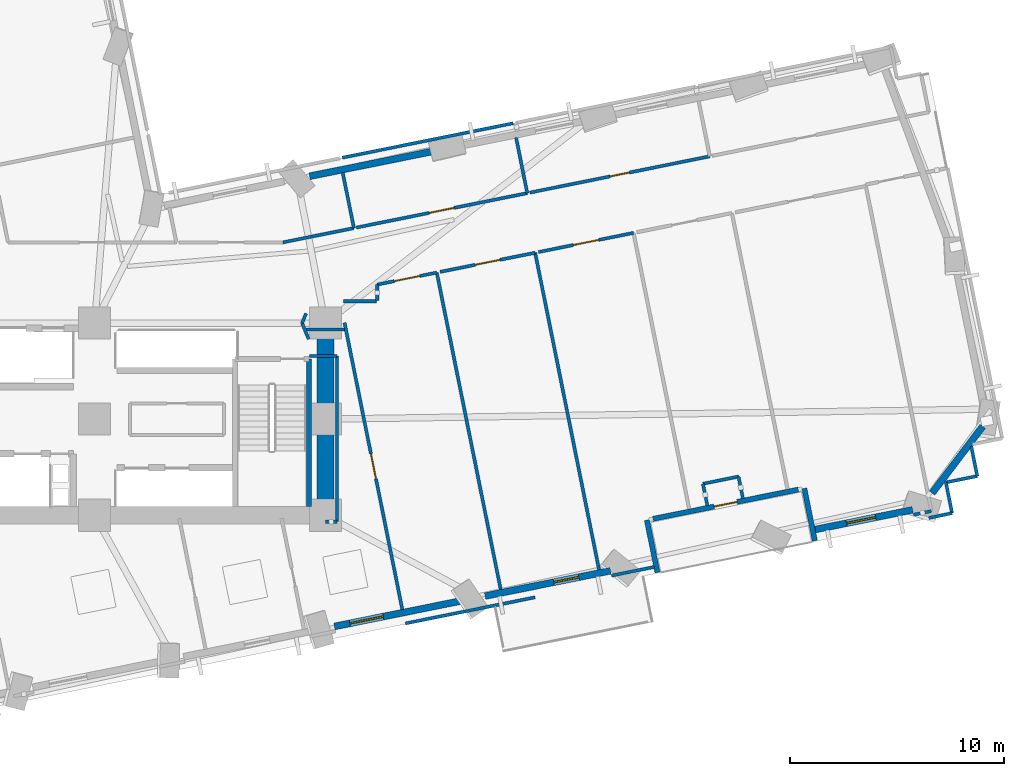
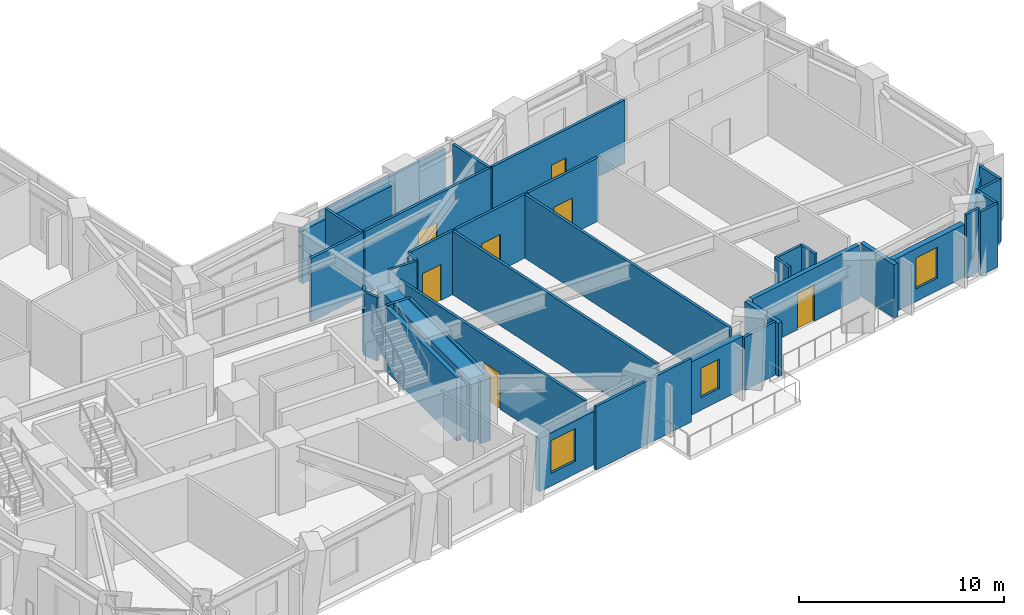
# One storey, part 9 of 16: 40 walls, 7 doors, 3 windows, 10 openings.
"""IFC4 building model written with IfcOpenShell, lengths in metres."""

from ifc_helpers import new_model, si_unit, direction, frame, frame_2d, origin, place, context, subcontext, project, spatial, rectangle, extrude, material, layer, layer_set, type_object, element, fill, save


model = new_model("IFC4")

# Units and contexts
model_context = context("Model", 3, precision=1e-05, world=origin(), true_north=direction((0.0, 1.0)))
body_context = subcontext(model_context, "Body", "Model", "MODEL_VIEW")
ifc_project = project(units=[si_unit("LENGTHUNIT", "METRE"), si_unit("AREAUNIT", "SQUARE_METRE"), si_unit("VOLUMEUNIT", "CUBIC_METRE"), si_unit("PLANEANGLEUNIT", "RADIAN"), si_unit("MASSUNIT", "GRAM", prefix="KILO")], contexts=[model_context])

# Site, building, storey
site_placement = place(None, origin())
site = spatial("IfcSite", under=ifc_project, at=site_placement, CompositionType="ELEMENT")
building_placement = place(site_placement, origin())
building = spatial("IfcBuilding", under=site, at=building_placement, Name="Gaonmaruhae Medical Tower", CompositionType="ELEMENT")
storey_placement = place(building_placement, frame((0.0, 0.0, 71.0)))
storey = spatial("IfcBuildingStorey", under=building, at=storey_placement, Name="L16", CompositionType="ELEMENT", Elevation=71.0)

# Wall
ifc_material_1 = material(Name="Concrete C60/75", Category="concrete")
ifc_layer_1 = layer(ifc_material_1, 0.800048828125)
ifc_layer_set_1 = layer_set([ifc_layer_1], Name="Concrete C60/75")
wall_type_1 = type_object("IfcWallType", Name="CW-800 Lower Core Shear Wall", PredefinedType="SHEAR", material=ifc_layer_set_1)
wall_1_placement = place(storey_placement, frame((35.60009765625, 7.800048828125, 0.0), z_axis=(0.0, 0.0, 1.0), x_axis=(0.0, 1.0, 0.0)))
element("IfcWall", 1, at=wall_1_placement, inside=storey, type_object=wall_type_1, Name="L16 Core Shear Wall CSW-E1", PredefinedType="SHEAR", context=body_context, shape_type="SweptSolid", body=[
    extrude(rectangle(XDim=9.0, YDim=0.800048828125, at=frame_2d((4.5, 0.0))), origin(), (0.0, 0.0, 1.0), 3.780029296875),
])

# Wall, opening, door
ifc_material_2 = material(Name="Precast concrete C45/55", Category="concrete")
ifc_layer_2 = layer(ifc_material_2, 0.239990234375)
ifc_layer_set_2 = layer_set([ifc_layer_2], Name="Precast concrete C45/55")
wall_type_2 = type_object("IfcWallType", Name="EW-240 Ribbon & Shelter Insulated Precast Wall", PredefinedType="SOLIDWALL", material=ifc_layer_set_2)
wall_2_placement = place(storey_placement, frame((57.760009765625, 9.003662109375, 0.0), z_axis=(0.0, 0.0, 1.0), x_axis=(-0.98027050878, -0.19766064256, 0.0)))
wall_2 = element("IfcWall", 2, at=wall_2_placement, inside=storey, type_object=wall_type_2, Name="L16 Recessed Terrace Enclosure Wall TERB", PredefinedType="SOLIDWALL", context=body_context, shape_type="SweptSolid", body=[
    extrude(rectangle(XDim=6.9599609375, YDim=0.239990234375, at=frame_2d((3.47998046875, 0.0))), origin(), (0.0, 0.0, 1.0), 3.1650390625),
])
opening_1_placement = place(wall_2_placement, frame((2.929931640625, 0.0, 0.0)))
opening_1 = element("IfcOpeningElement", 3, at=opening_1_placement, cuts=wall_2, Name="Opening TD-01", PredefinedType="OPENING", context=body_context, shape_type="SweptSolid", body=[
    extrude(rectangle(XDim=1.10009765625, YDim=2.14990234375, at=frame_2d((0.550048828125, 1.074951171875))), frame((0.0, 0.1298828125, 0.0), z_axis=(0.0, -1.0, 0.0), x_axis=(1.0, 0.0, 0.0)), (0.0, 0.0, 1.0), 0.260009765625),
])
ifc_material_3 = material(Name="Anodised aluminium and toughened safety glass", Category="aluminium")
door_type_1 = type_object("IfcDoorType", Name="TD-01 Terrace & Sky Garden Glazed Door 1100x2150", OperationType="NOTDEFINED", PredefinedType="DOOR", material=ifc_material_3)
door_1_placement = place(opening_1_placement, origin())
door_1 = element("IfcDoor", 4, at=door_1_placement, inside=storey, type_object=door_type_1, Name="L16 Outdoor Terrace Access Door SLB-L16-TER", OperationType="SINGLE_SWING_RIGHT", OverallHeight=2.14990234375, OverallWidth=1.10009765625, PredefinedType="DOOR", context=body_context, shape_type="SweptSolid", body=[
    extrude(rectangle(XDim=1.10009765625, YDim=2.14990234375, at=frame_2d((0.550048828125, 1.074951171875))), frame((0.0, 0.02490234375, 0.0), z_axis=(0.0, -1.0, 0.0), x_axis=(1.0, 0.0, 0.0)), (0.0, 0.0, 1.0), 0.050048828125),
])
fill(opening_1, door_1)

# Walls
for number, where, z_axis, x_axis, name in (
    (5, (50.66259765625, 7.57275390625, 0.0), (0.0, 0.0, 1.0), (0.197749692278, -0.980252548685, 0.0), "L16 Recessed Terrace Enclosure Wall TERL"),
    (6, (58.528564453125, 6.6083984375, 0.0), (0.0, 0.0, 1.0), (-0.197655854152, 0.980271474297, 0.0), "L16 Recessed Terrace Enclosure Wall TERR"),
):
    element("IfcWall", number, at=place(storey_placement, frame(where, z_axis=z_axis, x_axis=x_axis)), inside=storey, type_object=wall_type_2, Name=name, PredefinedType="SOLIDWALL", context=body_context, shape_type="SweptSolid", body=[
        extrude(rectangle(XDim=2.5, YDim=0.239990234375, at=frame_2d((1.25, 0.0))), origin(), (0.0, 0.0, 1.0), 3.1650390625),
    ])

# Wall, opening, window
ifc_layer_3 = layer(ifc_material_2, 0.320068359375)
ifc_layer_set_3 = layer_set([ifc_layer_3], Name="Precast concrete C45/55")
wall_type_3 = type_object("IfcWallType", Name="EW-320 Lower Precast Masonry-Frame Facade Wall", PredefinedType="SOLIDWALL", material=ifc_layer_set_3)
wall_3_placement = place(storey_placement, frame((41.89697265625, 3.775146484375, 0.0), z_axis=(0.0, 0.0, 1.0), x_axis=(-0.980270406687, -0.197661148871, 0.0)))
wall_3 = element("IfcWall", 7, at=wall_3_placement, inside=storey, type_object=wall_type_3, Name="L16 Precast Masonry-Frame Wall S04-S05", PredefinedType="SOLIDWALL", context=body_context, shape_type="SweptSolid", body=[
    extrude(rectangle(XDim=5.985595703125, YDim=0.320068359375, at=frame_2d((2.99267578125, 0.0))), origin(), (0.0, 0.0, 1.0), 3.1650390625),
])
opening_2_placement = place(wall_3_placement, frame((3.65380859375, 0.0, 0.75)))
opening_2 = element("IfcOpeningElement", 8, at=opening_2_placement, cuts=wall_3, Name="Opening WN-01", PredefinedType="OPENING", context=body_context, shape_type="SweptSolid", body=[
    extrude(rectangle(XDim=1.60009765625, YDim=1.949951171875, at=frame_2d((0.800048828125, 0.97509765625))), frame((0.0, 0.169921875, 0.0), z_axis=(0.0, -1.0, 0.0), x_axis=(1.0, 0.0, 0.0)), (0.0, 0.0, 1.0), 0.340087890625),
])
ifc_material_4 = material(Name="Anodised aluminium and Low-E double glazing", Category="aluminium")
window_type_1 = type_object("IfcWindowType", Name="WN-01 Ward Punched Acoustic Window 1600x1950", PartitioningType="SINGLE_PANEL", PredefinedType="WINDOW", material=ifc_material_4)
window_1_placement = place(opening_2_placement, origin())
window_1 = element("IfcWindow", 9, at=window_1_placement, inside=storey, type_object=window_type_1, Name="L16 Modular Facade Window S04", OverallHeight=1.949951171875, OverallWidth=1.60009765625, PartitioningType="SINGLE_PANEL", PredefinedType="WINDOW", context=body_context, shape_type="SweptSolid", body=[
    extrude(rectangle(XDim=1.60009765625, YDim=1.949951171875, at=frame_2d((0.800048828125, 0.97509765625))), frame((0.0, 0.030029296875, 0.0), z_axis=(0.0, -1.0, 0.0), x_axis=(1.0, 0.0, 0.0)), (0.0, 0.0, 1.0), 0.06005859375),
])
fill(opening_2, window_1)

wall_4_placement = place(storey_placement, frame((48.9609375, 5.199462890625, 0.0), z_axis=(0.0, 0.0, 1.0), x_axis=(-0.980270794901, -0.197659223574, 0.0)))
wall_4 = element("IfcWall", 10, at=wall_4_placement, inside=storey, type_object=wall_type_3, Name="L16 Precast Masonry-Frame Wall S05-S06", PredefinedType="SOLIDWALL", context=body_context, shape_type="SweptSolid", body=[
    extrude(rectangle(XDim=5.992919921875, YDim=0.320068359375, at=frame_2d((2.99658203125, 0.0))), origin(), (0.0, 0.0, 1.0), 3.1650390625),
])
opening_3_placement = place(wall_4_placement, frame((1.51611328125, 0.0, 0.75)))
opening_3 = element("IfcOpeningElement", 11, at=opening_3_placement, cuts=wall_4, Name="Opening WN-05", PredefinedType="OPENING", context=body_context, shape_type="SweptSolid", body=[
    extrude(rectangle(XDim=1.199951171875, YDim=1.75, at=frame_2d((0.60009765625, 0.875))), frame((0.0, 0.169921875, 0.0), z_axis=(0.0, -1.0, 0.0), x_axis=(1.0, 0.0, 0.0)), (0.0, 0.0, 1.0), 0.340087890625),
])
window_type_2 = type_object("IfcWindowType", Name="WN-05 Support & Staff Punched Window 1200x1750", PartitioningType="SINGLE_PANEL", PredefinedType="WINDOW", material=ifc_material_4)
window_2_placement = place(opening_3_placement, origin())
window_2 = element("IfcWindow", 12, at=window_2_placement, inside=storey, type_object=window_type_2, Name="L16 Modular Facade Window S05", OverallHeight=1.75, OverallWidth=1.199951171875, PartitioningType="SINGLE_PANEL", PredefinedType="WINDOW", context=body_context, shape_type="SweptSolid", body=[
    extrude(rectangle(XDim=1.199951171875, YDim=1.75, at=frame_2d((0.60009765625, 0.875))), frame((0.0, 0.030029296875, 0.0), z_axis=(0.0, -1.0, 0.0), x_axis=(1.0, 0.0, 0.0)), (0.0, 0.0, 1.0), 0.06005859375),
])
fill(opening_3, window_2)

wall_5_placement = place(storey_placement, frame((63.107421875, 8.052001953125, 0.0), z_axis=(0.0, 0.0, 1.0), x_axis=(-0.980269343, -0.197666423994, 0.0)))
wall_5 = element("IfcWall", 13, at=wall_5_placement, inside=storey, type_object=wall_type_3, Name="L16 Precast Masonry-Frame Wall S07-S08", PredefinedType="SOLIDWALL", context=body_context, shape_type="SweptSolid", body=[
    extrude(rectangle(XDim=4.75390625, YDim=0.320068359375, at=frame_2d((2.376953125, 0.0))), origin(), (0.0, 0.0, 1.0), 3.14501953125),
])
opening_4_placement = place(wall_5_placement, frame((1.760986328125, 0.0, 0.75)))
opening_4 = element("IfcOpeningElement", 14, at=opening_4_placement, cuts=wall_5, Name="Opening WN-03", PredefinedType="OPENING", context=body_context, shape_type="SweptSolid", body=[
    extrude(rectangle(XDim=1.39990234375, YDim=1.85009765625, at=frame_2d((0.699951171875, 0.925048828125))), frame((0.0, 0.169921875, 0.0), z_axis=(0.0, -1.0, 0.0), x_axis=(1.0, 0.0, 0.0)), (0.0, 0.0, 1.0), 0.340087890625),
])
window_type_3 = type_object("IfcWindowType", Name="WN-03 Isolation Ward Punched Window 1400x1850", PartitioningType="SINGLE_PANEL", PredefinedType="WINDOW", material=ifc_material_4)
window_3_placement = place(opening_4_placement, origin())
window_3 = element("IfcWindow", 15, at=window_3_placement, inside=storey, type_object=window_type_3, Name="L16 Modular Facade Window S07", OverallHeight=1.85009765625, OverallWidth=1.39990234375, PartitioningType="SINGLE_PANEL", PredefinedType="WINDOW", context=body_context, shape_type="SweptSolid", body=[
    extrude(rectangle(XDim=1.39990234375, YDim=1.85009765625, at=frame_2d((0.699951171875, 0.925048828125))), frame((0.0, 0.030029296875, 0.0), z_axis=(0.0, -1.0, 0.0), x_axis=(1.0, 0.0, 0.0)), (0.0, 0.0, 1.0), 0.06005859375),
])
fill(opening_4, window_3)

# Walls
wall_6_placement = place(storey_placement, frame((66.392578125, 11.965576171875, 0.0), z_axis=(0.0, 0.0, 1.0), x_axis=(-0.603951033344, -0.797021423378, 0.0)))
element("IfcWall", 16, at=wall_6_placement, inside=storey, type_object=wall_type_3, Name="L16 Precast Masonry-Frame Wall S08-E01", PredefinedType="SOLIDWALL", context=body_context, shape_type="SweptSolid", body=[
    extrude(rectangle(XDim=3.927490234375, YDim=0.320068359375, at=frame_2d((1.9638671875, 0.0))), origin(), (0.0, 0.0, 1.0), 3.1650390625),
])
wall_7_placement = place(storey_placement, frame((34.86572265625, 23.677978515625, 0.0), z_axis=(0.0, 0.0, 1.0), x_axis=(0.98027206463, 0.19765292638, 0.0)))
element("IfcWall", 17, at=wall_7_placement, inside=storey, type_object=wall_type_3, Name="L16 Precast Masonry-Frame Wall EN03-EN04", PredefinedType="SOLIDWALL", context=body_context, shape_type="SweptSolid", body=[
    extrude(rectangle(XDim=5.987060546875, YDim=0.320068359375, at=frame_2d((2.99365234375, 0.0))), origin(), (0.0, 0.0, 1.0), 3.1650390625),
])
ifc_material_5 = material(Name="Gypsum board partition", Category="gypsum")
ifc_layer_4 = layer(ifc_material_5, 0.14990234375)
ifc_layer_set_4 = layer_set([ifc_layer_4], Name="Gypsum board partition")
wall_type_4 = type_object("IfcWallType", Name="PW-150 Rated Clinical Corridor Partition", PredefinedType="PARTITIONING", material=ifc_layer_set_4)
wall_8_placement = place(storey_placement, frame((36.14990234375, 15.260009765625, 0.0), z_axis=(0.0, 0.0, 1.0), x_axis=(-1.0, 0.0, 0.0)))
element("IfcWall", 18, at=wall_8_placement, inside=storey, type_object=wall_type_4, Name="L16 Interior Partition L16-TRM06-12", PredefinedType="PARTITIONING", context=body_context, shape_type="SweptSolid", body=[
    extrude(rectangle(XDim=1.2998046875, YDim=0.14990234375, at=frame_2d((0.64990234375, 0.0))), origin(), (0.0, 0.0, 1.0), 3.780029296875),
])
wall_9_placement = place(storey_placement, frame((34.822021484375, 16.050048828125, 0.0), z_axis=(0.0, 0.0, 1.0), x_axis=(-0.382050639738, 0.924141389981, 0.0)))
element("IfcWall", 19, at=wall_9_placement, inside=storey, type_object=wall_type_4, Name="L16 Interior Partition L16-TRM06-13", PredefinedType="PARTITIONING", context=body_context, shape_type="SweptSolid", body=[
    extrude(rectangle(XDim=0.8115234375, YDim=0.14990234375, at=frame_2d((0.40576171875, 0.0))), origin(), (0.0, 0.0, 1.0), 3.780029296875),
])
wall_10_placement = place(storey_placement, frame((34.511962890625, 16.800048828125, 0.0), z_axis=(0.0, 0.0, 1.0), x_axis=(0.382673670509, 0.923883575944, 0.0)))
element("IfcWall", 20, at=wall_10_placement, inside=storey, type_object=wall_type_4, Name="L16 Interior Partition L16-TRM06-14", PredefinedType="PARTITIONING", context=body_context, shape_type="SweptSolid", body=[
    extrude(rectangle(XDim=0.4912109375, YDim=0.14990234375, at=frame_2d((0.24560546875, 0.0))), origin(), (0.0, 0.0, 1.0), 3.780029296875),
])
wall_11_placement = place(storey_placement, frame((34.699951171875, 16.5, 0.0), z_axis=(0.0, 0.0, 1.0), x_axis=(1.0, 0.0, 0.0)))
element("IfcWall", 21, at=wall_11_placement, inside=storey, type_object=wall_type_4, Name="L16 Interior Partition L16-TRM06-15", PredefinedType="PARTITIONING", context=body_context, shape_type="SweptSolid", body=[
    extrude(rectangle(XDim=1.800048828125, YDim=0.14990234375, at=frame_2d((0.89990234375, 0.0))), origin(), (0.0, 0.0, 1.0), 2.864990234375),
])

# Wall, opening, door
wall_12_placement = place(storey_placement, frame((36.5, 16.818115234375, 0.0), z_axis=(0.0, 0.0, 1.0), x_axis=(0.197625281774, -0.980277638225, 0.0)))
wall_12 = element("IfcWall", 22, at=wall_12_placement, inside=storey, type_object=wall_type_4, Name="L16 Interior Partition L16-TRM06-16", PredefinedType="PARTITIONING", context=body_context, shape_type="SweptSolid", body=[
    extrude(rectangle(XDim=13.717529296875, YDim=0.14990234375, at=frame_2d((6.85888671875, 0.0))), origin(), (0.0, 0.0, 1.0), 3.780029296875),
])
opening_5_placement = place(wall_12_placement, frame((6.2587890625, 0.0, 0.0)))
opening_5 = element("IfcOpeningElement", 23, at=opening_5_placement, cuts=wall_12, Name="Opening CD-02", PredefinedType="OPENING", context=body_context, shape_type="SweptSolid", body=[
    extrude(rectangle(XDim=1.199951171875, YDim=2.14990234375, at=frame_2d((0.60009765625, 1.074951171875))), frame((0.0, 0.0849609375, 0.0), z_axis=(0.0, -1.0, 0.0), x_axis=(1.0, 0.0, 0.0)), (0.0, 0.0, 1.0), 0.169921875),
])
ifc_material_6 = material(Name="Antimicrobial laminate timber fire door", Category="wood")
door_type_2 = type_object("IfcDoorType", Name="CD-02 Clinical Treatment & Procedure Door 1200x2150", OperationType="NOTDEFINED", PredefinedType="DOOR", material=ifc_material_6)
door_2_placement = place(opening_5_placement, origin())
door_2 = element("IfcDoor", 24, at=door_2_placement, inside=storey, type_object=door_type_2, Name="L16 Clinical Procedure Examination Room Sliding Door", OperationType="SLIDING_TO_LEFT", OverallHeight=2.14990234375, OverallWidth=1.199951171875, PredefinedType="DOOR", context=body_context, shape_type="SweptSolid", body=[
    extrude(rectangle(XDim=1.199951171875, YDim=2.14990234375, at=frame_2d((0.60009765625, 1.074951171875))), frame((0.0, 0.02490234375, 0.0), z_axis=(0.0, -1.0, 0.0), x_axis=(1.0, 0.0, 0.0)), (0.0, 0.0, 1.0), 0.050048828125),
])
fill(opening_5, door_2)

# Walls
wall_13_placement = place(storey_placement, frame((35.60009765625, 7.5, 0.0), z_axis=(0.0, 0.0, 1.0), x_axis=(1.0, 0.0, 0.0)))
element("IfcWall", 25, at=wall_13_placement, inside=storey, type_object=wall_type_4, Name="L16 Interior Partition L16-TRM06-18", PredefinedType="PARTITIONING", context=body_context, shape_type="SweptSolid", body=[
    extrude(rectangle(XDim=0.5498046875, YDim=0.14990234375, at=frame_2d((0.27490234375, 0.0))), origin(), (0.0, 0.0, 1.0), 3.780029296875),
])
wall_14_placement = place(storey_placement, frame((36.14990234375, 7.5, 0.0), z_axis=(0.0, 0.0, 1.0), x_axis=(0.0, 1.0, 0.0)))
element("IfcWall", 26, at=wall_14_placement, inside=storey, type_object=wall_type_4, Name="L16 Interior Partition L16-TRM06-19", PredefinedType="PARTITIONING", context=body_context, shape_type="SweptSolid", body=[
    extrude(rectangle(XDim=7.760009765625, YDim=0.14990234375, at=frame_2d((3.8798828125, 0.0))), origin(), (0.0, 0.0, 1.0), 3.780029296875),
])
wall_15_placement = place(storey_placement, frame((36.4609375, 17.820068359375, 0.0), z_axis=(0.0, 0.0, 1.0), x_axis=(0.999999801036, 0.000630815203, 0.0)))
element("IfcWall", 27, at=wall_15_placement, inside=storey, type_object=wall_type_4, Name="L16 Interior Partition L16-SUP07-21", PredefinedType="PARTITIONING", context=body_context, shape_type="SweptSolid", body=[
    extrude(rectangle(XDim=1.548095703125, YDim=0.14990234375, at=frame_2d((0.77392578125, 0.0))), origin(), (0.0, 0.0, 1.0), 3.780029296875),
])
wall_16_placement = place(storey_placement, frame((38.030029296875, 17.85009765625, 0.0), z_axis=(0.0, 0.0, 1.0), x_axis=(0.0, 1.0, 0.0)))
element("IfcWall", 28, at=wall_16_placement, inside=storey, type_object=wall_type_4, Name="L16 Interior Partition L16-SUP07-22", PredefinedType="PARTITIONING", context=body_context, shape_type="SweptSolid", body=[
    extrude(rectangle(XDim=0.7529296875, YDim=0.14990234375, at=frame_2d((0.37646484375, 0.0))), origin(), (0.0, 0.0, 1.0), 3.780029296875),
])

# Wall, opening, door
wall_17_placement = place(storey_placement, frame((38.030029296875, 18.60302734375, 0.0), z_axis=(0.0, 0.0, 1.0), x_axis=(0.980256145054, 0.197731864109, 0.0)))
wall_17 = element("IfcWall", 29, at=wall_17_placement, inside=storey, type_object=wall_type_4, Name="L16 Interior Partition L16-SUP07-23", PredefinedType="PARTITIONING", context=body_context, shape_type="SweptSolid", body=[
    extrude(rectangle(XDim=2.84716796875, YDim=0.14990234375, at=frame_2d((1.423583984375, 0.0))), origin(), (0.0, 0.0, 1.0), 3.780029296875),
])
opening_6_placement = place(wall_17_placement, frame((0.823486328125, 0.0, 0.0)))
opening_6 = element("IfcOpeningElement", 30, at=opening_6_placement, cuts=wall_17, Name="Opening CD-02", PredefinedType="OPENING", context=body_context, shape_type="SweptSolid", body=[
    extrude(rectangle(XDim=1.199951171875, YDim=2.14990234375, at=frame_2d((0.60009765625, 1.074951171875))), frame((0.0, 0.0849609375, 0.0), z_axis=(0.0, -1.0, 0.0), x_axis=(1.0, 0.0, 0.0)), (0.0, 0.0, 1.0), 0.169921875),
])
door_3_placement = place(opening_6_placement, origin())
door_3 = element("IfcDoor", 31, at=door_3_placement, inside=storey, type_object=door_type_2, Name="L16 Clinical Biomedical Charting Office Door", OperationType="SINGLE_SWING_RIGHT", OverallHeight=2.14990234375, OverallWidth=1.199951171875, PredefinedType="DOOR", context=body_context, shape_type="SweptSolid", body=[
    extrude(rectangle(XDim=1.199951171875, YDim=2.14990234375, at=frame_2d((0.60009765625, 1.074951171875))), frame((0.0, 0.02490234375, 0.0), z_axis=(0.0, -1.0, 0.0), x_axis=(1.0, 0.0, 0.0)), (0.0, 0.0, 1.0), 0.050048828125),
])
fill(opening_6, door_3)

# Wall
wall_18_placement = place(storey_placement, frame((40.821044921875, 19.166015625, 0.0), z_axis=(0.0, 0.0, 1.0), x_axis=(0.197691694235, -0.980264247043, 0.0)))
element("IfcWall", 32, at=wall_18_placement, inside=storey, type_object=wall_type_4, Name="L16 Interior Partition L16-SUP07-24", PredefinedType="PARTITIONING", context=body_context, shape_type="SweptSolid", body=[
    extrude(rectangle(XDim=15.165283203125, YDim=0.14990234375, at=frame_2d((7.58251953125, 0.0))), origin(), (0.0, 0.0, 1.0), 3.780029296875),
])

# Wall, opening, door
wall_19_placement = place(storey_placement, frame((40.97802734375, 19.197998046875, 0.0), z_axis=(0.0, 0.0, 1.0), x_axis=(0.980283759532, 0.197594915923, 0.0)))
wall_19 = element("IfcWall", 33, at=wall_19_placement, inside=storey, type_object=wall_type_4, Name="L16 Interior Partition L16-SUP08-26", PredefinedType="PARTITIONING", context=body_context, shape_type="SweptSolid", body=[
    extrude(rectangle(XDim=4.53955078125, YDim=0.14990234375, at=frame_2d((2.269775390625, 0.0))), origin(), (0.0, 0.0, 1.0), 3.780029296875),
])
opening_7_placement = place(wall_19_placement, frame((1.669921875, 0.0, 0.0)))
opening_7 = element("IfcOpeningElement", 34, at=opening_7_placement, cuts=wall_19, Name="Opening CD-02", PredefinedType="OPENING", context=body_context, shape_type="SweptSolid", body=[
    extrude(rectangle(XDim=1.199951171875, YDim=2.14990234375, at=frame_2d((0.60009765625, 1.074951171875))), frame((0.0, 0.0849609375, 0.0), z_axis=(0.0, -1.0, 0.0), x_axis=(1.0, 0.0, 0.0)), (0.0, 0.0, 1.0), 0.169921875),
])
door_4_placement = place(opening_7_placement, origin())
door_4 = element("IfcDoor", 35, at=door_4_placement, inside=storey, type_object=door_type_2, Name="L16 Clinical Biomedical Charting Office Door", OperationType="SINGLE_SWING_LEFT", OverallHeight=2.14990234375, OverallWidth=1.199951171875, PredefinedType="DOOR", context=body_context, shape_type="SweptSolid", body=[
    extrude(rectangle(XDim=1.199951171875, YDim=2.14990234375, at=frame_2d((0.60009765625, 1.074951171875))), frame((0.0, 0.02490234375, 0.0), z_axis=(0.0, -1.0, 0.0), x_axis=(1.0, 0.0, 0.0)), (0.0, 0.0, 1.0), 0.050048828125),
])
fill(opening_7, door_4)

# Walls
wall_20_placement = place(storey_placement, frame((45.427978515625, 20.094970703125, 0.0), z_axis=(0.0, 0.0, 1.0), x_axis=(0.197691694235, -0.980264247043, 0.0)))
element("IfcWall", 36, at=wall_20_placement, inside=storey, type_object=wall_type_4, Name="L16 Interior Partition L16-SUP08-27", PredefinedType="PARTITIONING", context=body_context, shape_type="SweptSolid", body=[
    extrude(rectangle(XDim=15.165283203125, YDim=0.14990234375, at=frame_2d((7.58251953125, 0.0))), origin(), (0.0, 0.0, 1.0), 3.780029296875),
])
wall_21_placement = place(storey_placement, frame((51.008056640625, 5.3779296875, 0.0), z_axis=(0.0, 0.0, 1.0), x_axis=(-0.98025750707, -0.197725111792, 0.0)))
element("IfcWall", 37, at=wall_21_placement, inside=storey, type_object=wall_type_4, Name="L16 Interior Partition L16-SUP09-28", PredefinedType="PARTITIONING", context=body_context, shape_type="SweptSolid", body=[
    extrude(rectangle(XDim=2.042236328125, YDim=0.14990234375, at=frame_2d((1.02099609375, 0.0))), origin(), (0.0, 0.0, 1.0), 3.1650390625),
])

# Wall, opening, door
wall_22_placement = place(storey_placement, frame((45.5849609375, 20.126953125, 0.0), z_axis=(0.0, 0.0, 1.0), x_axis=(0.980292156273, 0.197553254465, 0.0)))
wall_22 = element("IfcWall", 38, at=wall_22_placement, inside=storey, type_object=wall_type_4, Name="L16 Interior Partition L16-SUP09-29", PredefinedType="PARTITIONING", context=body_context, shape_type="SweptSolid", body=[
    extrude(rectangle(XDim=4.54052734375, YDim=0.14990234375, at=frame_2d((2.270263671875, 0.0))), origin(), (0.0, 0.0, 1.0), 3.780029296875),
])
opening_8_placement = place(wall_22_placement, frame((1.670166015625, 0.0, 0.0)))
opening_8 = element("IfcOpeningElement", 39, at=opening_8_placement, cuts=wall_22, Name="Opening CD-02", PredefinedType="OPENING", context=body_context, shape_type="SweptSolid", body=[
    extrude(rectangle(XDim=1.199951171875, YDim=2.14990234375, at=frame_2d((0.60009765625, 1.074951171875))), frame((0.0, 0.0849609375, 0.0), z_axis=(0.0, -1.0, 0.0), x_axis=(1.0, 0.0, 0.0)), (0.0, 0.0, 1.0), 0.169921875),
])
door_5_placement = place(opening_8_placement, origin())
door_5 = element("IfcDoor", 40, at=door_5_placement, inside=storey, type_object=door_type_2, Name="L16 Clinical Biomedical Charting Office Door", OperationType="SINGLE_SWING_RIGHT", OverallHeight=2.14990234375, OverallWidth=1.199951171875, PredefinedType="DOOR", context=body_context, shape_type="SweptSolid", body=[
    extrude(rectangle(XDim=1.199951171875, YDim=2.14990234375, at=frame_2d((0.60009765625, 1.074951171875))), frame((0.0, 0.02490234375, 0.0), z_axis=(0.0, -1.0, 0.0), x_axis=(1.0, 0.0, 0.0)), (0.0, 0.0, 1.0), 0.050048828125),
])
fill(opening_8, door_5)

# Walls
wall_23_placement = place(storey_placement, frame((55.1630859375, 8.576904296875, 0.0), z_axis=(0.0, 0.0, 1.0), x_axis=(-0.198073697706, 0.980187130234, 0.0)))
element("IfcWall", 41, at=wall_23_placement, inside=storey, type_object=wall_type_4, Name="L16 Interior Partition L16-SUP10-32", PredefinedType="PARTITIONING", context=body_context, shape_type="SweptSolid", body=[
    extrude(rectangle(XDim=1.05517578125, YDim=0.14990234375, at=frame_2d((0.527587890625, 0.0))), origin(), (0.0, 0.0, 1.0), 3.780029296875),
])
wall_24_placement = place(storey_placement, frame((54.9541015625, 9.611083984375, 0.0), z_axis=(0.0, 0.0, 1.0), x_axis=(-0.980242211552, -0.197800926921, 0.0)))
element("IfcWall", 42, at=wall_24_placement, inside=storey, type_object=wall_type_4, Name="L16 Interior Partition L16-SUP10-33", PredefinedType="PARTITIONING", context=body_context, shape_type="SweptSolid", body=[
    extrude(rectangle(XDim=1.69970703125, YDim=0.14990234375, at=frame_2d((0.849853515625, 0.0))), origin(), (0.0, 0.0, 1.0), 3.780029296875),
])
wall_25_placement = place(storey_placement, frame((53.2880859375, 9.27490234375, 0.0), z_axis=(0.0, 0.0, 1.0), x_axis=(0.198118632768, -0.9801780488, 0.0)))
element("IfcWall", 43, at=wall_25_placement, inside=storey, type_object=wall_type_4, Name="L16 Interior Partition L16-SUP10-34", PredefinedType="PARTITIONING", context=body_context, shape_type="SweptSolid", body=[
    extrude(rectangle(XDim=1.054931640625, YDim=0.14990234375, at=frame_2d((0.52734375, 0.0))), origin(), (0.0, 0.0, 1.0), 3.780029296875),
])
wall_26_placement = place(storey_placement, frame((63.986083984375, 7.9951171875, 0.0), z_axis=(0.0, 0.0, 1.0), x_axis=(-0.980214350645, -0.197938947126, 0.0)))
element("IfcWall", 44, at=wall_26_placement, inside=storey, type_object=wall_type_4, Name="L16 Interior Partition L16-SUP11-38", PredefinedType="PARTITIONING", context=body_context, shape_type="SweptSolid", body=[
    extrude(rectangle(XDim=0.849853515625, YDim=0.14990234375, at=frame_2d((0.4248046875, 0.0))), origin(), (0.0, 0.0, 1.0), 3.780029296875),
])
wall_27_placement = place(storey_placement, frame((36.4150390625, 23.85302734375, 0.0), z_axis=(0.0, 0.0, 1.0), x_axis=(0.197671802264, -0.980268258483, 0.0)))
element("IfcWall", 45, at=wall_27_placement, inside=storey, type_object=wall_type_4, Name="L16 Interior Partition L16-IE02-69", PredefinedType="PARTITIONING", context=body_context, shape_type="SweptSolid", body=[
    extrude(rectangle(XDim=2.655517578125, YDim=0.14990234375, at=frame_2d((1.32763671875, 0.0))), origin(), (0.0, 0.0, 1.0), 3.780029296875),
])
wall_28_placement = place(storey_placement, frame((36.93994140625, 21.25, 0.0), z_axis=(0.0, 0.0, 1.0), x_axis=(-0.980288826058, -0.197569778825, 0.0)))
element("IfcWall", 46, at=wall_28_placement, inside=storey, type_object=wall_type_4, Name="L16 Interior Partition L16-IE02-70", PredefinedType="PARTITIONING", context=body_context, shape_type="SweptSolid", body=[
    extrude(rectangle(XDim=3.390869140625, YDim=0.14990234375, at=frame_2d((1.6953125, 0.0))), origin(), (0.0, 0.0, 1.0), 3.780029296875),
])

# Wall, opening, door
wall_29_placement = place(storey_placement, frame((45.06005859375, 22.886962890625, 0.0), z_axis=(0.0, 0.0, 1.0), x_axis=(-0.980287447343, -0.197576619523, 0.0)))
wall_29 = element("IfcWall", 47, at=wall_29_placement, inside=storey, type_object=wall_type_4, Name="L16 Interior Partition L16-IE03-72", PredefinedType="PARTITIONING", context=body_context, shape_type="SweptSolid", body=[
    extrude(rectangle(XDim=8.1640625, YDim=0.14990234375, at=frame_2d((4.08203125, 0.0))), origin(), (0.0, 0.0, 1.0), 3.780029296875),
])
opening_9_placement = place(wall_29_placement, frame((3.48193359375, 0.0, 0.0)))
opening_9 = element("IfcOpeningElement", 48, at=opening_9_placement, cuts=wall_29, Name="Opening CD-02", PredefinedType="OPENING", context=body_context, shape_type="SweptSolid", body=[
    extrude(rectangle(XDim=1.199951171875, YDim=2.14990234375, at=frame_2d((0.60009765625, 1.074951171875))), frame((0.0, 0.0849609375, 0.0), z_axis=(0.0, -1.0, 0.0), x_axis=(1.0, 0.0, 0.0)), (0.0, 0.0, 1.0), 0.169921875),
])
door_6_placement = place(opening_9_placement, origin())
door_6 = element("IfcDoor", 49, at=door_6_placement, inside=storey, type_object=door_type_2, Name="L16 Clean Medication Preparation Room Door", OperationType="SINGLE_SWING_LEFT", OverallHeight=2.14990234375, OverallWidth=1.199951171875, PredefinedType="DOOR", context=body_context, shape_type="SweptSolid", body=[
    extrude(rectangle(XDim=1.199951171875, YDim=2.14990234375, at=frame_2d((0.60009765625, 1.074951171875))), frame((0.0, 0.02490234375, 0.0), z_axis=(0.0, -1.0, 0.0), x_axis=(1.0, 0.0, 0.0)), (0.0, 0.0, 1.0), 0.050048828125),
])
fill(opening_9, door_6)

# Walls
wall_30_placement = place(storey_placement, frame((36.39697265625, 24.548095703125, 0.0), z_axis=(0.0, 0.0, 1.0), x_axis=(0.980263104859, 0.197697357725, 0.0)))
element("IfcWall", 50, at=wall_30_placement, inside=storey, type_object=wall_type_4, Name="L16 Interior Partition L16-IE03-73", PredefinedType="PARTITIONING", context=body_context, shape_type="SweptSolid", body=[
    extrude(rectangle(XDim=8.1640625, YDim=0.14990234375, at=frame_2d((4.08203125, 0.0))), origin(), (0.0, 0.0, 1.0), 3.1650390625),
])
wall_31_placement = place(storey_placement, frame((44.534912109375, 25.489990234375, 0.0), z_axis=(0.0, 0.0, 1.0), x_axis=(0.197760147737, -0.980250439412, 0.0)))
element("IfcWall", 51, at=wall_31_placement, inside=storey, type_object=wall_type_4, Name="L16 Interior Partition L16-IE03-74", PredefinedType="PARTITIONING", context=body_context, shape_type="SweptSolid", body=[
    extrude(rectangle(XDim=2.655517578125, YDim=0.14990234375, at=frame_2d((1.32763671875, 0.0))), origin(), (0.0, 0.0, 1.0), 3.780029296875),
])

# Wall, opening, door
wall_32_placement = place(storey_placement, frame((53.60791015625, 24.611083984375, 0.0), z_axis=(0.0, 0.0, 1.0), x_axis=(-0.980261644467, -0.197704598803, 0.0)))
wall_32 = element("IfcWall", 52, at=wall_32_placement, inside=storey, type_object=wall_type_4, Name="L16 Interior Partition L16-IE04-75", PredefinedType="PARTITIONING", context=body_context, shape_type="SweptSolid", body=[
    extrude(rectangle(XDim=8.599609375, YDim=0.14990234375, at=frame_2d((4.2998046875, 0.0))), origin(), (0.0, 0.0, 1.0), 3.780029296875),
])
opening_10_placement = place(wall_32_placement, frame((3.83984375, 0.0, 0.0)))
opening_10 = element("IfcOpeningElement", 53, at=opening_10_placement, cuts=wall_32, Name="Opening UD-01", PredefinedType="OPENING", context=body_context, shape_type="SweptSolid", body=[
    extrude(rectangle(XDim=0.919921875, YDim=2.10009765625, at=frame_2d((0.4599609375, 1.050048828125))), frame((0.0, 0.0849609375, 0.0), z_axis=(0.0, -1.0, 0.0), x_axis=(1.0, 0.0, 0.0)), (0.0, 0.0, 1.0), 0.169921875),
])
ifc_material_7 = material(Name="Powder-coated steel utility door", Category="steel")
door_type_3 = type_object("IfcDoorType", Name="UD-01 Toilet, Utility & Housekeeping Door 920x2100", OperationType="NOTDEFINED", PredefinedType="DOOR", material=ifc_material_7)
door_7_placement = place(opening_10_placement, origin())
door_7 = element("IfcDoor", 54, at=door_7_placement, inside=storey, type_object=door_type_3, Name="L16 Accessible Public Toilet Door", OperationType="SINGLE_SWING_RIGHT", OverallHeight=2.10009765625, OverallWidth=0.919921875, PredefinedType="DOOR", context=body_context, shape_type="SweptSolid", body=[
    extrude(rectangle(XDim=0.919921875, YDim=2.10009765625, at=frame_2d((0.4599609375, 1.050048828125))), frame((0.0, 0.02490234375, 0.0), z_axis=(0.0, -1.0, 0.0), x_axis=(1.0, 0.0, 0.0)), (0.0, 0.0, 1.0), 0.050048828125),
])
fill(opening_10, door_7)

# Walls
wall_33_placement = place(storey_placement, frame((45.423095703125, 3.9560546875, 0.0), z_axis=(0.0, 0.0, 1.0), x_axis=(-0.980253190715, -0.197746509686, 0.0)))
element("IfcWall", 55, at=wall_33_placement, inside=storey, type_object=wall_type_4, Name="L16 Interior Partition L16-RM03-103", PredefinedType="PARTITIONING", context=body_context, shape_type="SweptSolid", body=[
    extrude(rectangle(XDim=6.1904296875, YDim=0.14990234375, at=frame_2d((3.09521484375, 0.0))), origin(), (0.0, 0.0, 1.0), 3.780029296875),
])
wall_34_placement = place(storey_placement, frame((65.85693359375, 11.034912109375, 0.0), z_axis=(0.0, 0.0, 1.0), x_axis=(0.197855780665, -0.980231141138, 0.0)))
element("IfcWall", 56, at=wall_34_placement, inside=storey, type_object=wall_type_4, Name="L16 Interior Partition L16-RM04-104", PredefinedType="PARTITIONING", context=body_context, shape_type="SweptSolid", body=[
    extrude(rectangle(XDim=1.43017578125, YDim=0.14990234375, at=frame_2d((0.715087890625, 0.0))), origin(), (0.0, 0.0, 1.0), 3.780029296875),
])
wall_35_placement = place(storey_placement, frame((66.139892578125, 9.633056640625, 0.0), z_axis=(0.0, 0.0, 1.0), x_axis=(-0.980177906971, -0.19811933446, 0.0)))
element("IfcWall", 57, at=wall_35_placement, inside=storey, type_object=wall_type_4, Name="L16 Interior Partition L16-RM04-105", PredefinedType="PARTITIONING", context=body_context, shape_type="SweptSolid", body=[
    extrude(rectangle(XDim=1.499755859375, YDim=0.14990234375, at=frame_2d((0.75, 0.0))), origin(), (0.0, 0.0, 1.0), 3.780029296875),
])
wall_36_placement = place(storey_placement, frame((64.669921875, 9.3359375, 0.0), z_axis=(0.0, 0.0, 1.0), x_axis=(0.197329811097, -0.980337159171, 0.0)))
element("IfcWall", 58, at=wall_36_placement, inside=storey, type_object=wall_type_4, Name="L16 Interior Partition L16-RM04-106", PredefinedType="PARTITIONING", context=body_context, shape_type="SweptSolid", body=[
    extrude(rectangle(XDim=1.4697265625, YDim=0.14990234375, at=frame_2d((0.73486328125, 0.0))), origin(), (0.0, 0.0, 1.0), 3.780029296875),
])
wall_37_placement = place(storey_placement, frame((64.9599609375, 7.89501953125, 0.0), z_axis=(0.0, 0.0, 1.0), x_axis=(-0.98034520405, -0.197289839819, 0.0)))
element("IfcWall", 59, at=wall_37_placement, inside=storey, type_object=wall_type_4, Name="L16 Interior Partition L16-RM04-107", PredefinedType="PARTITIONING", context=body_context, shape_type="SweptSolid", body=[
    extrude(rectangle(XDim=1.119873046875, YDim=0.14990234375, at=frame_2d((0.56005859375, 0.0))), origin(), (0.0, 0.0, 1.0), 3.780029296875),
])
ifc_material_8 = material(Name="Concrete C50/60", Category="concrete")
ifc_layer_5 = layer(ifc_material_8, 0.239990234375)
ifc_layer_set_5 = layer_set([ifc_layer_5], Name="Concrete C50/60")
wall_type_5 = type_object("IfcWallType", Name="SW-240 Dogleg Stair Tight Shaft Wall", PredefinedType="SOLIDWALL", material=ifc_layer_set_5)
wall_38_placement = place(storey_placement, frame((34.830078125, 15.1201171875, 0.0), z_axis=(0.0, 0.0, 1.0), x_axis=(0.0, -1.0, 0.0)))
element("IfcWall", 60, at=wall_38_placement, inside=storey, type_object=wall_type_5, Name="L16 ST-02 Stair Shaft Wall SHW-ST-02-E", PredefinedType="SOLIDWALL", context=body_context, shape_type="SweptSolid", body=[
    extrude(rectangle(XDim=6.920166015625, YDim=0.239990234375, at=frame_2d((3.4599609375, 0.0))), origin(), (0.0, 0.0, 1.0), 3.780029296875),
])

save(model, "model.ifc")
